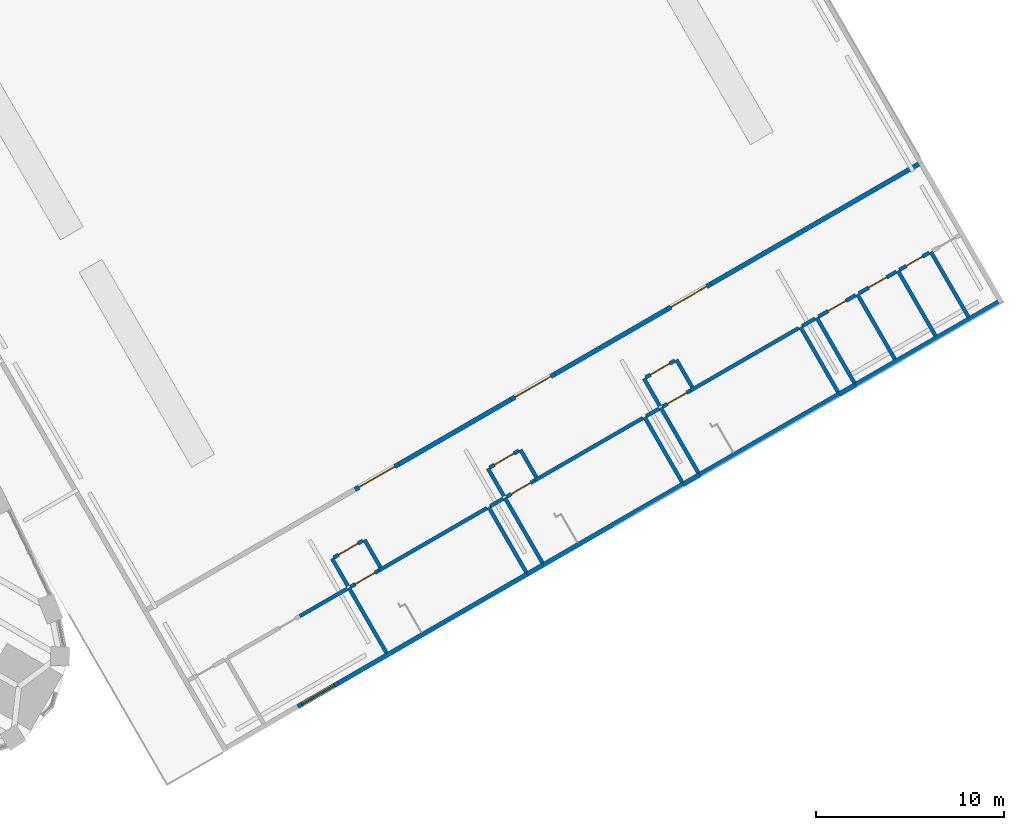
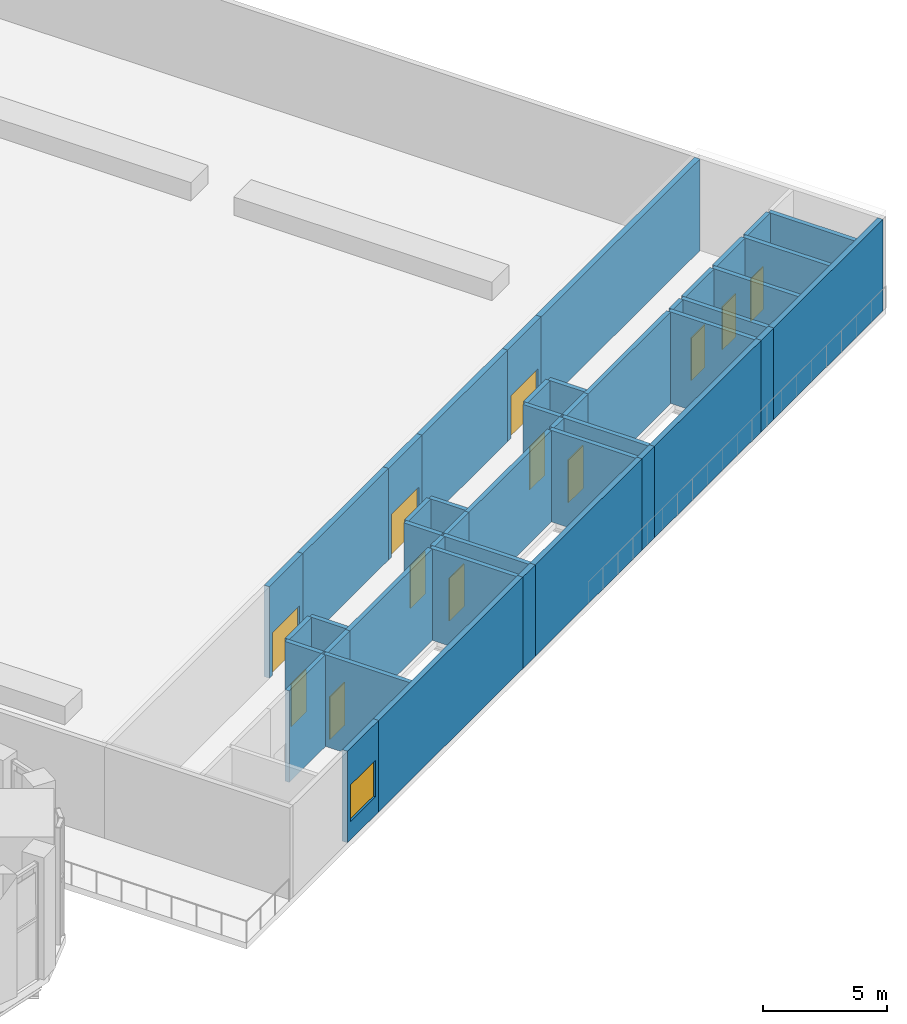
# One storey, part 33 of 41: 46 walls, 12 doors, 1 window, 13 openings.
"""IFC4 building model written with IfcOpenShell, lengths in metres."""

from ifc_helpers import new_model, si_unit, direction, frame, frame_2d, origin, place, context, subcontext, project, spatial, rectangle, extrude, material, layer, layer_set, type_object, element, fill, save


model = new_model("IFC4")

# Units and contexts
model_context = context("Model", 3, precision=1e-05, world=origin(), true_north=direction((0.0, 1.0)))
body_context = subcontext(model_context, "Body", "Model", "MODEL_VIEW")
ifc_project = project(units=[si_unit("LENGTHUNIT", "METRE"), si_unit("AREAUNIT", "SQUARE_METRE"), si_unit("VOLUMEUNIT", "CUBIC_METRE"), si_unit("PLANEANGLEUNIT", "RADIAN"), si_unit("MASSUNIT", "GRAM", prefix="KILO")], contexts=[model_context])

# Site, building, storey
site_placement = place(None, origin())
site = spatial("IfcSite", under=ifc_project, at=site_placement, CompositionType="ELEMENT")
building_placement = place(site_placement, origin())
building = spatial("IfcBuilding", under=site, at=building_placement, Name="Mestral Congress Tower", CompositionType="ELEMENT")
storey_placement = place(building_placement, frame((0.0, 0.0, 21.60009765625)))
storey = spatial("IfcBuildingStorey", under=building, at=storey_placement, Name="L04", CompositionType="ELEMENT", Elevation=21.60009765625)

# Wall, opening, window
ifc_material_1 = material(Name="Precast concrete C40/50 with limestone facing", Category="masonry")
ifc_layer_1 = layer(ifc_material_1, 0.25)
ifc_layer_set_1 = layer_set([ifc_layer_1], Name="Precast concrete C40/50 with limestone facing")
wall_type_1 = type_object("IfcWallType", Name="Podium external wall 250 R 180 load-bearing to roof", PredefinedType="SOLIDWALL", material=ifc_layer_set_1)
wall_1_placement = place(storey_placement, frame((48.562255859375, -18.006103515625, 0.0), z_axis=(0.0, 0.0, 1.0), x_axis=(-0.866022959057, -0.500004234368, 0.0)))
wall_1 = element("IfcWall", 1, at=wall_1_placement, inside=storey, type_object=wall_type_1, Name="L04 external wall", PredefinedType="SOLIDWALL", context=body_context, shape_type="SweptSolid", body=[
    extrude(rectangle(XDim=2.5, YDim=0.25, at=frame_2d((1.25, 0.0))), origin(), (0.0, 0.0, 1.0), 4.5),
])
opening_1_placement = place(wall_1_placement, frame((0.25, 0.0, 0.89990234375)))
opening_1 = element("IfcOpeningElement", 2, at=opening_1_placement, cuts=wall_1, Name="Opening PW-2000x1800", PredefinedType="OPENING", context=body_context, shape_type="SweptSolid", body=[
    extrude(rectangle(XDim=2.0, YDim=1.800048828125, at=frame_2d((1.0, 0.89990234375))), frame((0.0, 0.135009765625, 0.0), z_axis=(0.0, -1.0, 0.0), x_axis=(1.0, 0.0, 0.0)), (0.0, 0.0, 1.0), 0.27001953125),
])
ifc_material_2 = material(Name="Aluminium frame, clear double glazing", Category="aluminium")
window_type = type_object("IfcWindowType", Name="Podium window 2000x1800 sill 900", PartitioningType="SINGLE_PANEL", PredefinedType="WINDOW", material=ifc_material_2)
window_placement = place(opening_1_placement, origin())
window = element("IfcWindow", 3, at=window_placement, inside=storey, type_object=window_type, Name="Window", OverallHeight=1.800048828125, OverallWidth=2.0, PartitioningType="SINGLE_PANEL", PredefinedType="WINDOW", context=body_context, shape_type="SweptSolid", body=[
    extrude(rectangle(XDim=2.0, YDim=1.800048828125, at=frame_2d((1.0, 0.89990234375))), frame((0.0, 0.030029296875, 0.0), z_axis=(0.0, -1.0, 0.0), x_axis=(1.0, 0.0, 0.0)), (0.0, 0.0, 1.0), 0.06005859375),
])
fill(opening_1, window)

# Walls
wall_2_placement = place(storey_placement, frame((58.6298828125, -12.193603515625, 0.0), z_axis=(0.0, 0.0, 1.0), x_axis=(-0.866027159341, -0.499996959274, 0.0)))
element("IfcWall", 4, at=wall_2_placement, inside=storey, type_object=wall_type_1, Name="L04 external wall", PredefinedType="SOLIDWALL", context=body_context, shape_type="SweptSolid", body=[
    extrude(rectangle(XDim=11.625, YDim=0.25, at=frame_2d((5.8125, 0.0))), origin(), (0.0, 0.0, 1.0), 4.5),
])
wall_3_placement = place(storey_placement, frame((66.943603515625, -7.393798828125, 0.0), z_axis=(0.0, 0.0, 1.0), x_axis=(-0.866033360935, -0.499986217557, 0.0)))
element("IfcWall", 5, at=wall_3_placement, inside=storey, type_object=wall_type_1, Name="L04 external wall", PredefinedType="SOLIDWALL", context=body_context, shape_type="SweptSolid", body=[
    extrude(rectangle(XDim=8.599853515625, YDim=0.25, at=frame_2d((4.2998046875, 0.0))), origin(), (0.0, 0.0, 1.0), 4.5),
])
wall_4_placement = place(storey_placement, frame((75.257568359375, -2.59375, 0.0), z_axis=(0.0, 0.0, 1.0), x_axis=(-0.866028165386, -0.499995216735, 0.0)))
element("IfcWall", 6, at=wall_4_placement, inside=storey, type_object=wall_type_1, Name="L04 external wall", PredefinedType="SOLIDWALL", context=body_context, shape_type="SweptSolid", body=[
    extrude(rectangle(XDim=8.60009765625, YDim=0.25, at=frame_2d((4.300048828125, 0.0))), origin(), (0.0, 0.0, 1.0), 4.5),
])
wall_5_placement = place(storey_placement, frame((83.744384765625, 2.306396484375, 0.0), z_axis=(0.0, 0.0, 1.0), x_axis=(-0.866013253925, -0.500021043584, 0.0)))
element("IfcWall", 7, at=wall_5_placement, inside=storey, type_object=wall_type_1, Name="L04 external wall", PredefinedType="SOLIDWALL", context=body_context, shape_type="SweptSolid", body=[
    extrude(rectangle(XDim=8.7998046875, YDim=0.25, at=frame_2d((4.39990234375, 0.0))), origin(), (0.0, 0.0, 1.0), 4.5),
])

# Wall, opening, door
wall_6_placement = place(storey_placement, frame((49.443359375, -7.6826171875, 0.0), z_axis=(0.0, 0.0, 1.0), x_axis=(0.866019956843, 0.50000943426, 0.0)))
wall_6 = element("IfcWall", 8, at=wall_6_placement, inside=storey, type_object=wall_type_1, Name="L04 external wall", PredefinedType="SOLIDWALL", context=body_context, shape_type="SweptSolid", body=[
    extrude(rectangle(XDim=2.7001953125, YDim=0.25, at=frame_2d((1.35009765625, 0.0))), origin(), (0.0, 0.0, 1.0), 4.5),
])
opening_2_placement = place(wall_6_placement, frame((0.25, 0.0, 0.0)))
opening_2 = element("IfcOpeningElement", 9, at=opening_2_placement, cuts=wall_6, Name="Opening P04-001", PredefinedType="OPENING", context=body_context, shape_type="SweptSolid", body=[
    extrude(rectangle(XDim=2.199951171875, YDim=2.10009765625, at=frame_2d((1.10009765625, 1.050048828125))), frame((0.0, 0.135009765625, 0.0), z_axis=(0.0, -1.0, 0.0), x_axis=(1.0, 0.0, 0.0)), (0.0, 0.0, 1.0), 0.27001953125),
])
ifc_material_3 = material(Name="Steel and glass door set", Category="steel")
door_type_1 = type_object("IfcDoorType", Name="Podium entrance door 2200x2100", OperationType="DOUBLE_DOOR_SINGLE_SWING", PredefinedType="DOOR", material=ifc_material_3)
door_1_placement = place(opening_2_placement, origin())
door_1 = element("IfcDoor", 10, at=door_1_placement, inside=storey, type_object=door_type_1, Name="Door P04-001", OperationType="DOUBLE_DOOR_SINGLE_SWING", OverallHeight=2.10009765625, OverallWidth=2.199951171875, PredefinedType="DOOR", context=body_context, shape_type="SweptSolid", body=[
    extrude(rectangle(XDim=2.199951171875, YDim=2.10009765625, at=frame_2d((1.10009765625, 1.050048828125))), frame((0.0, 0.02490234375, 0.0), z_axis=(0.0, -1.0, 0.0), x_axis=(1.0, 0.0, 0.0)), (0.0, 0.0, 1.0), 0.050048828125),
])
fill(opening_2, door_1)

# Wall
wall_7_placement = place(storey_placement, frame((57.75732421875, -2.882568359375, 0.0), z_axis=(0.0, 0.0, 1.0), x_axis=(-0.866028853923, -0.499994024137, 0.0)))
element("IfcWall", 11, at=wall_7_placement, inside=storey, type_object=wall_type_1, Name="L04 external wall", PredefinedType="SOLIDWALL", context=body_context, shape_type="SweptSolid", body=[
    extrude(rectangle(XDim=6.89990234375, YDim=0.25, at=frame_2d((3.449951171875, 0.0))), origin(), (0.0, 0.0, 1.0), 4.5),
])

# Wall, opening, door
wall_8_placement = place(storey_placement, frame((57.75732421875, -2.882568359375, 0.0), z_axis=(0.0, 0.0, 1.0), x_axis=(0.86599734893, 0.500048589285, 0.0)))
wall_8 = element("IfcWall", 12, at=wall_8_placement, inside=storey, type_object=wall_type_1, Name="L04 external wall", PredefinedType="SOLIDWALL", context=body_context, shape_type="SweptSolid", body=[
    extrude(rectangle(XDim=2.699951171875, YDim=0.25, at=frame_2d((1.35009765625, 0.0))), origin(), (0.0, 0.0, 1.0), 4.5),
])
opening_3_placement = place(wall_8_placement, frame((0.25, 0.0, 0.0)))
opening_3 = element("IfcOpeningElement", 13, at=opening_3_placement, cuts=wall_8, Name="Opening P04-002", PredefinedType="OPENING", context=body_context, shape_type="SweptSolid", body=[
    extrude(rectangle(XDim=2.199951171875, YDim=2.10009765625, at=frame_2d((1.10009765625, 1.050048828125))), frame((0.0, 0.135009765625, 0.0), z_axis=(0.0, -1.0, 0.0), x_axis=(1.0, 0.0, 0.0)), (0.0, 0.0, 1.0), 0.27001953125),
])
door_2_placement = place(opening_3_placement, origin())
door_2 = element("IfcDoor", 14, at=door_2_placement, inside=storey, type_object=door_type_1, Name="Door P04-002", OperationType="DOUBLE_DOOR_SINGLE_SWING", OverallHeight=2.10009765625, OverallWidth=2.199951171875, PredefinedType="DOOR", context=body_context, shape_type="SweptSolid", body=[
    extrude(rectangle(XDim=2.199951171875, YDim=2.10009765625, at=frame_2d((1.10009765625, 1.050048828125))), frame((0.0, 0.02490234375, 0.0), z_axis=(0.0, -1.0, 0.0), x_axis=(1.0, 0.0, 0.0)), (0.0, 0.0, 1.0), 0.050048828125),
])
fill(opening_3, door_2)

# Wall
wall_9_placement = place(storey_placement, frame((66.071044921875, 1.91748046875, 0.0), z_axis=(0.0, 0.0, 1.0), x_axis=(-0.866028853923, -0.499994024137, 0.0)))
element("IfcWall", 15, at=wall_9_placement, inside=storey, type_object=wall_type_1, Name="L04 external wall", PredefinedType="SOLIDWALL", context=body_context, shape_type="SweptSolid", body=[
    extrude(rectangle(XDim=6.89990234375, YDim=0.25, at=frame_2d((3.449951171875, 0.0))), origin(), (0.0, 0.0, 1.0), 4.5),
])

# Wall, opening, door
wall_10_placement = place(storey_placement, frame((66.071044921875, 1.91748046875, 0.0), z_axis=(0.0, 0.0, 1.0), x_axis=(0.866019956843, 0.50000943426, 0.0)))
wall_10 = element("IfcWall", 16, at=wall_10_placement, inside=storey, type_object=wall_type_1, Name="L04 external wall", PredefinedType="SOLIDWALL", context=body_context, shape_type="SweptSolid", body=[
    extrude(rectangle(XDim=2.7001953125, YDim=0.25, at=frame_2d((1.35009765625, 0.0))), origin(), (0.0, 0.0, 1.0), 4.5),
])
opening_4_placement = place(wall_10_placement, frame((0.25, 0.0, 0.0)))
opening_4 = element("IfcOpeningElement", 17, at=opening_4_placement, cuts=wall_10, Name="Opening P04-003", PredefinedType="OPENING", context=body_context, shape_type="SweptSolid", body=[
    extrude(rectangle(XDim=2.199951171875, YDim=2.10009765625, at=frame_2d((1.10009765625, 1.050048828125))), frame((0.0, 0.135009765625, 0.0), z_axis=(0.0, -1.0, 0.0), x_axis=(1.0, 0.0, 0.0)), (0.0, 0.0, 1.0), 0.27001953125),
])
door_3_placement = place(opening_4_placement, origin())
door_3 = element("IfcDoor", 18, at=door_3_placement, inside=storey, type_object=door_type_1, Name="Door P04-003", OperationType="DOUBLE_DOOR_SINGLE_SWING", OverallHeight=2.10009765625, OverallWidth=2.199951171875, PredefinedType="DOOR", context=body_context, shape_type="SweptSolid", body=[
    extrude(rectangle(XDim=2.199951171875, YDim=2.10009765625, at=frame_2d((1.10009765625, 1.050048828125))), frame((0.0, 0.02490234375, 0.0), z_axis=(0.0, -1.0, 0.0), x_axis=(1.0, 0.0, 0.0)), (0.0, 0.0, 1.0), 0.050048828125),
])
fill(opening_4, door_3)

# Walls
wall_11_placement = place(storey_placement, frame((79.494384765625, 9.66748046875, 0.0), z_axis=(0.0, 0.0, 1.0), x_axis=(-0.866025499775, -0.499999833739, 0.0)))
element("IfcWall", 19, at=wall_11_placement, inside=storey, type_object=wall_type_1, Name="L04 external wall", PredefinedType="SOLIDWALL", context=body_context, shape_type="SweptSolid", body=[
    extrude(rectangle(XDim=12.7998046875, YDim=0.25, at=frame_2d((6.39990234375, 0.0))), origin(), (0.0, 0.0, 1.0), 4.5),
])
for number, where, z_axis, x_axis, name in (
    (20, (59.495849609375, -11.693603515625, 0.0), (0.0, 0.0, 1.0), (-0.866010750942, -0.50002537861, 0.0), "L04 external wall"),
    (21, (67.8095703125, -6.893798828125, 0.0), (0.0, 0.0, 1.0), (-0.866010750942, -0.50002537861, 0.0), "L04 external wall"),
    (22, (76.12353515625, -2.09375, 0.0), (0.0, 0.0, 1.0), (-0.866010750942, -0.50002537861, 0.0), "L04 external wall"),
):
    element("IfcWall", number, at=place(storey_placement, frame(where, z_axis=z_axis, x_axis=x_axis)), inside=storey, type_object=wall_type_1, Name=name, PredefinedType="SOLIDWALL", context=body_context, shape_type="SweptSolid", body=[
        extrude(rectangle(XDim=1.0, YDim=0.25, at=frame_2d((0.5, 0.0))), origin(), (0.0, 0.0, 1.0), 4.5),
    ])
ifc_material_4 = material(Name="Masonry block wall", Category="masonry")
ifc_layer_2 = layer(ifc_material_4, 0.199951171875)
ifc_layer_set_2 = layer_set([ifc_layer_2], Name="Masonry block wall")
wall_type_2 = type_object("IfcWallType", Name="Podium stair enclosure wall 200 EI 120 load-bearing", PredefinedType="SOLIDWALL", material=ifc_layer_set_2)
for number, where, z_axis, x_axis, name in (
    (23, (51.119384765625, -16.385498046875, 0.0), (0.0, 0.0, 1.0), (-0.49999894854, 0.866026010844, 0.0), "L04 partition"),
    (24, (58.5673828125, -12.08544921875, 0.0), (0.0, 0.0, 1.0), (-0.49999894854, 0.866026010844, 0.0), "L04 partition"),
    (25, (59.433349609375, -11.58544921875, 0.0), (0.0, 0.0, 1.0), (-0.49999894854, 0.866026010844, 0.0), "L04 partition"),
    (26, (66.881103515625, -7.285400390625, 0.0), (0.0, 0.0, 1.0), (-0.49999894854, 0.866026010844, 0.0), "L04 partition"),
    (27, (67.7470703125, -6.785400390625, 0.0), (0.0, 0.0, 1.0), (-0.49999894854, 0.866026010844, 0.0), "L04 partition"),
    (28, (75.195068359375, -2.485595703125, 0.0), (0.0, 0.0, 1.0), (-0.49999894854, 0.866026010844, 0.0), "L04 partition"),
):
    element("IfcWall", number, at=place(storey_placement, frame(where, z_axis=z_axis, x_axis=x_axis)), inside=storey, type_object=wall_type_2, Name=name, PredefinedType="SOLIDWALL", context=body_context, shape_type="SweptSolid", body=[
        extrude(rectangle(XDim=4.0, YDim=0.199951171875, at=frame_2d((2.0, 0.0))), origin(), (0.0, 0.0, 1.0), 4.5),
    ])

# Wall, opening, door
wall_12_placement = place(storey_placement, frame((50.7216796875, -11.996337890625, 0.0), z_axis=(0.0, 0.0, 1.0), x_axis=(-0.866036909293, -0.499980071345, 0.0)))
wall_12 = element("IfcWall", 29, at=wall_12_placement, inside=storey, type_object=wall_type_2, Name="L04 partition", PredefinedType="SOLIDWALL", context=body_context, shape_type="SweptSolid", body=[
    extrude(rectangle(XDim=1.75, YDim=0.199951171875, at=frame_2d((0.875, 0.0))), origin(), (0.0, 0.0, 1.0), 4.5),
])
opening_5_placement = place(wall_12_placement, frame((0.25, 0.0, 0.0)))
opening_5 = element("IfcOpeningElement", 30, at=opening_5_placement, cuts=wall_12, Name="Opening P04-007", PredefinedType="OPENING", context=body_context, shape_type="SweptSolid", body=[
    extrude(rectangle(XDim=1.199951171875, YDim=2.10009765625, at=frame_2d((0.60009765625, 1.050048828125))), frame((0.0, 0.10986328125, 0.0), z_axis=(0.0, -1.0, 0.0), x_axis=(1.0, 0.0, 0.0)), (0.0, 0.0, 1.0), 0.219970703125),
])
ifc_material_5 = material(Name="Fire-rated steel door set", Category="steel")
door_type_2 = type_object("IfcDoorType", Name="Podium stair door 1200x2100 EI2 30-C5", OperationType="SINGLE_SWING_LEFT", PredefinedType="DOOR", material=ifc_material_5)
door_4_placement = place(opening_5_placement, origin())
door_4 = element("IfcDoor", 31, at=door_4_placement, inside=storey, type_object=door_type_2, Name="Door P04-007", OperationType="SINGLE_SWING_LEFT", OverallHeight=2.10009765625, OverallWidth=1.199951171875, PredefinedType="DOOR", context=body_context, shape_type="SweptSolid", body=[
    extrude(rectangle(XDim=1.199951171875, YDim=2.10009765625, at=frame_2d((0.60009765625, 1.050048828125))), frame((0.0, 0.02490234375, 0.0), z_axis=(0.0, -1.0, 0.0), x_axis=(1.0, 0.0, 0.0)), (0.0, 0.0, 1.0), 0.050048828125),
])
fill(opening_5, door_4)

# Wall
wall_13_placement = place(storey_placement, frame((50.7216796875, -11.996337890625, 0.0), z_axis=(0.0, 0.0, 1.0), x_axis=(0.866027239912, 0.49999681972, 0.0)))
element("IfcWall", 32, at=wall_13_placement, inside=storey, type_object=wall_type_2, Name="L04 partition", PredefinedType="SOLIDWALL", context=body_context, shape_type="SweptSolid", body=[
    extrude(rectangle(XDim=6.64990234375, YDim=0.199951171875, at=frame_2d((3.324951171875, 0.0))), origin(), (0.0, 0.0, 1.0), 4.5),
])

# Wall, opening, door
wall_14_placement = place(storey_placement, frame((59.035400390625, -7.1962890625, 0.0), z_axis=(0.0, 0.0, 1.0), x_axis=(-0.866002029911, -0.500040482552, 0.0)))
wall_14 = element("IfcWall", 33, at=wall_14_placement, inside=storey, type_object=wall_type_2, Name="L04 partition", PredefinedType="SOLIDWALL", context=body_context, shape_type="SweptSolid", body=[
    extrude(rectangle(XDim=1.749755859375, YDim=0.199951171875, at=frame_2d((0.875, 0.0))), origin(), (0.0, 0.0, 1.0), 4.5),
])
opening_6_placement = place(wall_14_placement, frame((0.25, 0.0, 0.0)))
opening_6 = element("IfcOpeningElement", 34, at=opening_6_placement, cuts=wall_14, Name="Opening P04-008", PredefinedType="OPENING", context=body_context, shape_type="SweptSolid", body=[
    extrude(rectangle(XDim=1.199951171875, YDim=2.10009765625, at=frame_2d((0.60009765625, 1.050048828125))), frame((0.0, 0.10986328125, 0.0), z_axis=(0.0, -1.0, 0.0), x_axis=(1.0, 0.0, 0.0)), (0.0, 0.0, 1.0), 0.219970703125),
])
door_5_placement = place(opening_6_placement, origin())
door_5 = element("IfcDoor", 35, at=door_5_placement, inside=storey, type_object=door_type_2, Name="Door P04-008", OperationType="SINGLE_SWING_LEFT", OverallHeight=2.10009765625, OverallWidth=1.199951171875, PredefinedType="DOOR", context=body_context, shape_type="SweptSolid", body=[
    extrude(rectangle(XDim=1.199951171875, YDim=2.10009765625, at=frame_2d((0.60009765625, 1.050048828125))), frame((0.0, 0.02490234375, 0.0), z_axis=(0.0, -1.0, 0.0), x_axis=(1.0, 0.0, 0.0)), (0.0, 0.0, 1.0), 0.050048828125),
])
fill(opening_6, door_5)

# Wall
wall_15_placement = place(storey_placement, frame((59.035400390625, -7.1962890625, 0.0), z_axis=(0.0, 0.0, 1.0), x_axis=(0.866027239912, 0.49999681972, 0.0)))
element("IfcWall", 36, at=wall_15_placement, inside=storey, type_object=wall_type_2, Name="L04 partition", PredefinedType="SOLIDWALL", context=body_context, shape_type="SweptSolid", body=[
    extrude(rectangle(XDim=6.64990234375, YDim=0.199951171875, at=frame_2d((3.324951171875, 0.0))), origin(), (0.0, 0.0, 1.0), 4.5),
])

# Wall, opening, door
wall_16_placement = place(storey_placement, frame((67.349365234375, -2.396484375, 0.0), z_axis=(0.0, 0.0, 1.0), x_axis=(-0.866036909293, -0.499980071345, 0.0)))
wall_16 = element("IfcWall", 37, at=wall_16_placement, inside=storey, type_object=wall_type_2, Name="L04 partition", PredefinedType="SOLIDWALL", context=body_context, shape_type="SweptSolid", body=[
    extrude(rectangle(XDim=1.75, YDim=0.199951171875, at=frame_2d((0.875, 0.0))), origin(), (0.0, 0.0, 1.0), 4.5),
])
opening_7_placement = place(wall_16_placement, frame((0.25, 0.0, 0.0)))
opening_7 = element("IfcOpeningElement", 38, at=opening_7_placement, cuts=wall_16, Name="Opening P04-009", PredefinedType="OPENING", context=body_context, shape_type="SweptSolid", body=[
    extrude(rectangle(XDim=1.199951171875, YDim=2.10009765625, at=frame_2d((0.60009765625, 1.050048828125))), frame((0.0, 0.10986328125, 0.0), z_axis=(0.0, -1.0, 0.0), x_axis=(1.0, 0.0, 0.0)), (0.0, 0.0, 1.0), 0.219970703125),
])
door_6_placement = place(opening_7_placement, origin())
door_6 = element("IfcDoor", 39, at=door_6_placement, inside=storey, type_object=door_type_2, Name="Door P04-009", OperationType="SINGLE_SWING_LEFT", OverallHeight=2.10009765625, OverallWidth=1.199951171875, PredefinedType="DOOR", context=body_context, shape_type="SweptSolid", body=[
    extrude(rectangle(XDim=1.199951171875, YDim=2.10009765625, at=frame_2d((0.60009765625, 1.050048828125))), frame((0.0, 0.02490234375, 0.0), z_axis=(0.0, -1.0, 0.0), x_axis=(1.0, 0.0, 0.0)), (0.0, 0.0, 1.0), 0.050048828125),
])
fill(opening_7, door_6)

# Walls
wall_17_placement = place(storey_placement, frame((67.349365234375, -2.396484375, 0.0), z_axis=(0.0, 0.0, 1.0), x_axis=(0.86601134256, 0.500024353964, 0.0)))
element("IfcWall", 40, at=wall_17_placement, inside=storey, type_object=wall_type_2, Name="L04 partition", PredefinedType="SOLIDWALL", context=body_context, shape_type="SweptSolid", body=[
    extrude(rectangle(XDim=6.650146484375, YDim=0.199951171875, at=frame_2d((3.3251953125, 0.0))), origin(), (0.0, 0.0, 1.0), 4.5),
])
for number, where, z_axis, x_axis, name in (
    (41, (76.06103515625, -1.985595703125, 0.0), (0.0, 0.0, 1.0), (-0.49999894854, 0.866026010844, 0.0), "L04 partition"),
    (42, (78.22607421875, -0.735595703125, 0.0), (0.0, 0.0, 1.0), (-0.49999894854, 0.866026010844, 0.0), "L04 partition"),
    (43, (80.39111328125, 0.514404296875, 0.0), (0.0, 0.0, 1.0), (-0.49999894854, 0.866026010844, 0.0), "L04 partition"),
):
    element("IfcWall", number, at=place(storey_placement, frame(where, z_axis=z_axis, x_axis=x_axis)), inside=storey, type_object=wall_type_2, Name=name, PredefinedType="SOLIDWALL", context=body_context, shape_type="SweptSolid", body=[
        extrude(rectangle(XDim=4.0, YDim=0.199951171875, at=frame_2d((2.0, 0.0))), origin(), (0.0, 0.0, 1.0), 4.5),
    ])

# Wall, opening, door
wall_18_placement = place(storey_placement, frame((76.139404296875, 2.6787109375, 0.0), z_axis=(0.0, 0.0, 1.0), x_axis=(-0.865980515519, -0.500077740698, 0.0)))
wall_18 = element("IfcWall", 44, at=wall_18_placement, inside=storey, type_object=wall_type_2, Name="L04 partition", PredefinedType="SOLIDWALL", context=body_context, shape_type="SweptSolid", body=[
    extrude(rectangle(XDim=2.300048828125, YDim=0.199951171875, at=frame_2d((1.14990234375, 0.0))), origin(), (0.0, 0.0, 1.0), 4.5),
])
opening_8_placement = place(wall_18_placement, frame((0.60009765625, 0.0, 0.0)))
opening_8 = element("IfcOpeningElement", 45, at=opening_8_placement, cuts=wall_18, Name="Opening P04-013", PredefinedType="OPENING", context=body_context, shape_type="SweptSolid", body=[
    extrude(rectangle(XDim=1.10009765625, YDim=2.10009765625, at=frame_2d((0.550048828125, 1.050048828125))), frame((0.0, 0.10986328125, 0.0), z_axis=(0.0, -1.0, 0.0), x_axis=(1.0, 0.0, 0.0)), (0.0, 0.0, 1.0), 0.219970703125),
])
door_type_3 = type_object("IfcDoorType", Name="Podium lift landing door 1100x2100 EI2 60-C5", OperationType="DOUBLE_DOOR_SLIDING", PredefinedType="DOOR", material=ifc_material_5)
door_7_placement = place(opening_8_placement, origin())
door_7 = element("IfcDoor", 46, at=door_7_placement, inside=storey, type_object=door_type_3, Name="Door P04-013", OperationType="DOUBLE_DOOR_SLIDING", OverallHeight=2.10009765625, OverallWidth=1.10009765625, PredefinedType="DOOR", context=body_context, shape_type="SweptSolid", body=[
    extrude(rectangle(XDim=1.10009765625, YDim=2.10009765625, at=frame_2d((0.550048828125, 1.050048828125))), frame((0.0, 0.02490234375, 0.0), z_axis=(0.0, -1.0, 0.0), x_axis=(1.0, 0.0, 0.0)), (0.0, 0.0, 1.0), 0.050048828125),
])
fill(opening_8, door_7)

wall_19_placement = place(storey_placement, frame((78.304443359375, 3.9287109375, 0.0), z_axis=(0.0, 0.0, 1.0), x_axis=(-0.865980515519, -0.500077740698, 0.0)))
wall_19 = element("IfcWall", 47, at=wall_19_placement, inside=storey, type_object=wall_type_2, Name="L04 partition", PredefinedType="SOLIDWALL", context=body_context, shape_type="SweptSolid", body=[
    extrude(rectangle(XDim=2.300048828125, YDim=0.199951171875, at=frame_2d((1.14990234375, 0.0))), origin(), (0.0, 0.0, 1.0), 4.5),
])
opening_9_placement = place(wall_19_placement, frame((0.60009765625, 0.0, 0.0)))
opening_9 = element("IfcOpeningElement", 48, at=opening_9_placement, cuts=wall_19, Name="Opening P04-014", PredefinedType="OPENING", context=body_context, shape_type="SweptSolid", body=[
    extrude(rectangle(XDim=1.10009765625, YDim=2.10009765625, at=frame_2d((0.550048828125, 1.050048828125))), frame((0.0, 0.10986328125, 0.0), z_axis=(0.0, -1.0, 0.0), x_axis=(1.0, 0.0, 0.0)), (0.0, 0.0, 1.0), 0.219970703125),
])
door_8_placement = place(opening_9_placement, origin())
door_8 = element("IfcDoor", 49, at=door_8_placement, inside=storey, type_object=door_type_3, Name="Door P04-014", OperationType="DOUBLE_DOOR_SLIDING", OverallHeight=2.10009765625, OverallWidth=1.10009765625, PredefinedType="DOOR", context=body_context, shape_type="SweptSolid", body=[
    extrude(rectangle(XDim=1.10009765625, YDim=2.10009765625, at=frame_2d((0.550048828125, 1.050048828125))), frame((0.0, 0.02490234375, 0.0), z_axis=(0.0, -1.0, 0.0), x_axis=(1.0, 0.0, 0.0)), (0.0, 0.0, 1.0), 0.050048828125),
])
fill(opening_9, door_8)

# Walls
ifc_material_6 = material(Name="Fire-rated board partition")
ifc_layer_3 = layer(ifc_material_6, 0.199951171875)
ifc_layer_set_3 = layer_set([ifc_layer_3], Name="Fire-rated board partition")
wall_type_3 = type_object("IfcWallType", Name="Podium vestibule wall 200 EI 120", PredefinedType="PARTITIONING", material=ifc_layer_set_3)
for number, where, z_axis, x_axis, name in (
    (50, (49.069580078125, -12.834716796875, 0.0), (0.0, 0.0, 1.0), (-0.500062241894, 0.865989465428, 0.0), "L04 partition"),
    (51, (50.801513671875, -11.834716796875, 0.0), (0.0, 0.0, 1.0), (-0.500062241894, 0.865989465428, 0.0), "L04 partition"),
):
    element("IfcWall", number, at=place(storey_placement, frame(where, z_axis=z_axis, x_axis=x_axis)), inside=storey, type_object=wall_type_3, Name=name, PredefinedType="PARTITIONING", context=body_context, shape_type="SweptSolid", body=[
        extrude(rectangle(XDim=1.699951171875, YDim=0.199951171875, at=frame_2d((0.85009765625, 0.0))), origin(), (0.0, 0.0, 1.0), 4.5),
    ])
for number, where, z_axis, x_axis, name in (
    (52, (57.38330078125, -8.034912109375, 0.0), (0.0, 0.0, 1.0), (-0.500000056704, 0.866025371046, 0.0), "L04 partition"),
    (53, (59.115478515625, -7.034912109375, 0.0), (0.0, 0.0, 1.0), (-0.500000056704, 0.866025371046, 0.0), "L04 partition"),
):
    element("IfcWall", number, at=place(storey_placement, frame(where, z_axis=z_axis, x_axis=x_axis)), inside=storey, type_object=wall_type_3, Name=name, PredefinedType="PARTITIONING", context=body_context, shape_type="SweptSolid", body=[
        extrude(rectangle(XDim=1.7001953125, YDim=0.199951171875, at=frame_2d((0.85009765625, 0.0))), origin(), (0.0, 0.0, 1.0), 4.5),
    ])
wall_20_placement = place(storey_placement, frame((65.697021484375, -3.23486328125, 0.0), z_axis=(0.0, 0.0, 1.0), x_axis=(-0.499892348375, 0.866087547558, 0.0)))
element("IfcWall", 54, at=wall_20_placement, inside=storey, type_object=wall_type_3, Name="L04 partition", PredefinedType="PARTITIONING", context=body_context, shape_type="SweptSolid", body=[
    extrude(rectangle(XDim=1.699951171875, YDim=0.199951171875, at=frame_2d((0.85009765625, 0.0))), origin(), (0.0, 0.0, 1.0), 4.5),
])
wall_21_placement = place(storey_placement, frame((67.42919921875, -2.23486328125, 0.0), z_axis=(0.0, 0.0, 1.0), x_axis=(-0.500000056704, 0.866025371046, 0.0)))
element("IfcWall", 55, at=wall_21_placement, inside=storey, type_object=wall_type_3, Name="L04 partition", PredefinedType="PARTITIONING", context=body_context, shape_type="SweptSolid", body=[
    extrude(rectangle(XDim=1.7001953125, YDim=0.199951171875, at=frame_2d((0.85009765625, 0.0))), origin(), (0.0, 0.0, 1.0), 4.5),
])

# Wall, opening, door
wall_22_placement = place(storey_placement, frame((49.864990234375, -10.41259765625, 0.0), z_axis=(0.0, 0.0, 1.0), x_axis=(-0.866047807691, -0.499961193289, 0.0)))
wall_22 = element("IfcWall", 56, at=wall_22_placement, inside=storey, type_object=wall_type_3, Name="L04 partition", PredefinedType="PARTITIONING", context=body_context, shape_type="SweptSolid", body=[
    extrude(rectangle(XDim=1.800048828125, YDim=0.199951171875, at=frame_2d((0.89990234375, 0.0))), origin(), (0.0, 0.0, 1.0), 4.5),
])
opening_10_placement = place(wall_22_placement, frame((0.300048828125, 0.0, 0.0)))
opening_10 = element("IfcOpeningElement", 57, at=opening_10_placement, cuts=wall_22, Name="Opening P04-017", PredefinedType="OPENING", context=body_context, shape_type="SweptSolid", body=[
    extrude(rectangle(XDim=1.199951171875, YDim=2.10009765625, at=frame_2d((0.60009765625, 1.050048828125))), frame((0.0, 0.10986328125, 0.0), z_axis=(0.0, -1.0, 0.0), x_axis=(1.0, 0.0, 0.0)), (0.0, 0.0, 1.0), 0.219970703125),
])
door_type_4 = type_object("IfcDoorType", Name="Podium vestibule door 1200x2100 EI2 30-C5", OperationType="SINGLE_SWING_LEFT", PredefinedType="DOOR", material=ifc_material_5)
door_9_placement = place(opening_10_placement, origin())
door_9 = element("IfcDoor", 58, at=door_9_placement, inside=storey, type_object=door_type_4, Name="Door P04-017", OperationType="SINGLE_SWING_LEFT", OverallHeight=2.10009765625, OverallWidth=1.199951171875, PredefinedType="DOOR", context=body_context, shape_type="SweptSolid", body=[
    extrude(rectangle(XDim=1.199951171875, YDim=2.10009765625, at=frame_2d((0.60009765625, 1.050048828125))), frame((0.0, 0.02490234375, 0.0), z_axis=(0.0, -1.0, 0.0), x_axis=(1.0, 0.0, 0.0)), (0.0, 0.0, 1.0), 0.050048828125),
])
fill(opening_10, door_9)

wall_23_placement = place(storey_placement, frame((58.1787109375, -5.612548828125, 0.0), z_axis=(0.0, 0.0, 1.0), x_axis=(-0.866047807691, -0.499961193289, 0.0)))
wall_23 = element("IfcWall", 59, at=wall_23_placement, inside=storey, type_object=wall_type_3, Name="L04 partition", PredefinedType="PARTITIONING", context=body_context, shape_type="SweptSolid", body=[
    extrude(rectangle(XDim=1.800048828125, YDim=0.199951171875, at=frame_2d((0.89990234375, 0.0))), origin(), (0.0, 0.0, 1.0), 4.5),
])
opening_11_placement = place(wall_23_placement, frame((0.300048828125, 0.0, 0.0)))
opening_11 = element("IfcOpeningElement", 60, at=opening_11_placement, cuts=wall_23, Name="Opening P04-018", PredefinedType="OPENING", context=body_context, shape_type="SweptSolid", body=[
    extrude(rectangle(XDim=1.199951171875, YDim=2.10009765625, at=frame_2d((0.60009765625, 1.050048828125))), frame((0.0, 0.10986328125, 0.0), z_axis=(0.0, -1.0, 0.0), x_axis=(1.0, 0.0, 0.0)), (0.0, 0.0, 1.0), 0.219970703125),
])
door_10_placement = place(opening_11_placement, origin())
door_10 = element("IfcDoor", 61, at=door_10_placement, inside=storey, type_object=door_type_4, Name="Door P04-018", OperationType="SINGLE_SWING_LEFT", OverallHeight=2.10009765625, OverallWidth=1.199951171875, PredefinedType="DOOR", context=body_context, shape_type="SweptSolid", body=[
    extrude(rectangle(XDim=1.199951171875, YDim=2.10009765625, at=frame_2d((0.60009765625, 1.050048828125))), frame((0.0, 0.02490234375, 0.0), z_axis=(0.0, -1.0, 0.0), x_axis=(1.0, 0.0, 0.0)), (0.0, 0.0, 1.0), 0.050048828125),
])
fill(opening_11, door_10)

wall_24_placement = place(storey_placement, frame((66.49267578125, -0.8125, 0.0), z_axis=(0.0, 0.0, 1.0), x_axis=(-0.866081705922, -0.499902469156, 0.0)))
wall_24 = element("IfcWall", 62, at=wall_24_placement, inside=storey, type_object=wall_type_3, Name="L04 partition", PredefinedType="PARTITIONING", context=body_context, shape_type="SweptSolid", body=[
    extrude(rectangle(XDim=1.800048828125, YDim=0.199951171875, at=frame_2d((0.89990234375, 0.0))), origin(), (0.0, 0.0, 1.0), 4.5),
])
opening_12_placement = place(wall_24_placement, frame((0.300048828125, 0.0, 0.0)))
opening_12 = element("IfcOpeningElement", 63, at=opening_12_placement, cuts=wall_24, Name="Opening P04-019", PredefinedType="OPENING", context=body_context, shape_type="SweptSolid", body=[
    extrude(rectangle(XDim=1.199951171875, YDim=2.10009765625, at=frame_2d((0.60009765625, 1.050048828125))), frame((0.0, 0.10986328125, 0.0), z_axis=(0.0, -1.0, 0.0), x_axis=(1.0, 0.0, 0.0)), (0.0, 0.0, 1.0), 0.219970703125),
])
door_11_placement = place(opening_12_placement, origin())
door_11 = element("IfcDoor", 64, at=door_11_placement, inside=storey, type_object=door_type_4, Name="Door P04-019", OperationType="SINGLE_SWING_LEFT", OverallHeight=2.10009765625, OverallWidth=1.199951171875, PredefinedType="DOOR", context=body_context, shape_type="SweptSolid", body=[
    extrude(rectangle(XDim=1.199951171875, YDim=2.10009765625, at=frame_2d((0.60009765625, 1.050048828125))), frame((0.0, 0.02490234375, 0.0), z_axis=(0.0, -1.0, 0.0), x_axis=(1.0, 0.0, 0.0)), (0.0, 0.0, 1.0), 0.050048828125),
])
fill(opening_12, door_11)

# Wall
wall_25_placement = place(storey_placement, frame((82.144775390625, 1.527099609375, 0.0), z_axis=(0.0, 0.0, 1.0), x_axis=(-0.49999894854, 0.866026010844, 0.0)))
element("IfcWall", 65, at=wall_25_placement, inside=storey, type_object=wall_type_3, Name="L04 partition", PredefinedType="PARTITIONING", context=body_context, shape_type="SweptSolid", body=[
    extrude(rectangle(XDim=4.0, YDim=0.199951171875, at=frame_2d((2.0, 0.0))), origin(), (0.0, 0.0, 1.0), 4.5),
])

# Wall, opening, door
wall_26_placement = place(storey_placement, frame((80.05810546875, 4.941162109375, 0.0), z_axis=(0.0, 0.0, 1.0), x_axis=(-0.865978377894, -0.500081442387, 0.0)))
wall_26 = element("IfcWall", 66, at=wall_26_placement, inside=storey, type_object=wall_type_3, Name="L04 partition", PredefinedType="PARTITIONING", context=body_context, shape_type="SweptSolid", body=[
    extrude(rectangle(XDim=1.824951171875, YDim=0.199951171875, at=frame_2d((0.91259765625, 0.0))), origin(), (0.0, 0.0, 1.0), 4.5),
])
opening_13_placement = place(wall_26_placement, frame((0.41259765625, 0.0, 0.0)))
opening_13 = element("IfcOpeningElement", 67, at=opening_13_placement, cuts=wall_26, Name="Opening P04-024", PredefinedType="OPENING", context=body_context, shape_type="SweptSolid", body=[
    extrude(rectangle(XDim=1.0, YDim=2.10009765625, at=frame_2d((0.5, 1.050048828125))), frame((0.0, 0.10986328125, 0.0), z_axis=(0.0, -1.0, 0.0), x_axis=(1.0, 0.0, 0.0)), (0.0, 0.0, 1.0), 0.219970703125),
])
door_type_5 = type_object("IfcDoorType", Name="Podium room door 1000x2100 EI2 30-C5", OperationType="SINGLE_SWING_LEFT", PredefinedType="DOOR", material=ifc_material_5)
door_12_placement = place(opening_13_placement, origin())
door_12 = element("IfcDoor", 68, at=door_12_placement, inside=storey, type_object=door_type_5, Name="Door P04-024", OperationType="SINGLE_SWING_LEFT", OverallHeight=2.10009765625, OverallWidth=1.0, PredefinedType="DOOR", context=body_context, shape_type="SweptSolid", body=[
    extrude(rectangle(XDim=1.0, YDim=2.10009765625, at=frame_2d((0.5, 1.050048828125))), frame((0.0, 0.02490234375, 0.0), z_axis=(0.0, -1.0, 0.0), x_axis=(1.0, 0.0, 0.0)), (0.0, 0.0, 1.0), 0.050048828125),
])
fill(opening_13, door_12)

# Walls
wall_27_placement = place(storey_placement, frame((46.499755859375, -14.433837890625, 0.0), z_axis=(0.0, 0.0, 1.0), x_axis=(0.866046596414, 0.499963291492, 0.0)))
element("IfcWall", 69, at=wall_27_placement, inside=storey, type_object=wall_type_3, Name="L04 partition", PredefinedType="PARTITIONING", context=body_context, shape_type="SweptSolid", body=[
    extrude(rectangle(XDim=2.925048828125, YDim=0.199951171875, at=frame_2d((1.46240234375, 0.0))), origin(), (0.0, 0.0, 1.0), 4.5),
])
wall_28_placement = place(storey_placement, frame((56.65380859375, -8.5712890625, 0.0), z_axis=(0.0, 0.0, 1.0), x_axis=(0.866094119867, 0.499880961361, 0.0)))
element("IfcWall", 70, at=wall_28_placement, inside=storey, type_object=wall_type_3, Name="L04 partition", PredefinedType="PARTITIONING", context=body_context, shape_type="SweptSolid", body=[
    extrude(rectangle(XDim=0.800048828125, YDim=0.199951171875, at=frame_2d((0.39990234375, 0.0))), origin(), (0.0, 0.0, 1.0), 4.5),
])
wall_29_placement = place(storey_placement, frame((64.9677734375, -3.771484375, 0.0), z_axis=(0.0, 0.0, 1.0), x_axis=(0.865885638426, 0.500242002602, 0.0)))
element("IfcWall", 71, at=wall_29_placement, inside=storey, type_object=wall_type_3, Name="L04 partition", PredefinedType="PARTITIONING", context=body_context, shape_type="SweptSolid", body=[
    extrude(rectangle(XDim=0.7998046875, YDim=0.199951171875, at=frame_2d((0.39990234375, 0.0))), origin(), (0.0, 0.0, 1.0), 4.5),
])
wall_30_placement = place(storey_placement, frame((73.281494140625, 1.028564453125, 0.0), z_axis=(0.0, 0.0, 1.0), x_axis=(0.865961984968, 0.500109828528, 0.0)))
element("IfcWall", 72, at=wall_30_placement, inside=storey, type_object=wall_type_3, Name="L04 partition", PredefinedType="PARTITIONING", context=body_context, shape_type="SweptSolid", body=[
    extrude(rectangle(XDim=0.800048828125, YDim=0.199951171875, at=frame_2d((0.39990234375, 0.0))), origin(), (0.0, 0.0, 1.0), 4.5),
])

save(model, "model.ifc")
